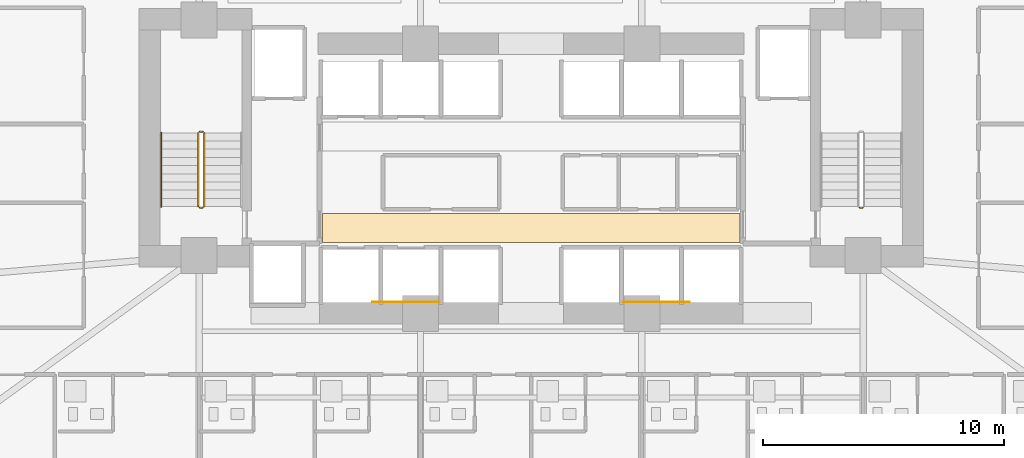
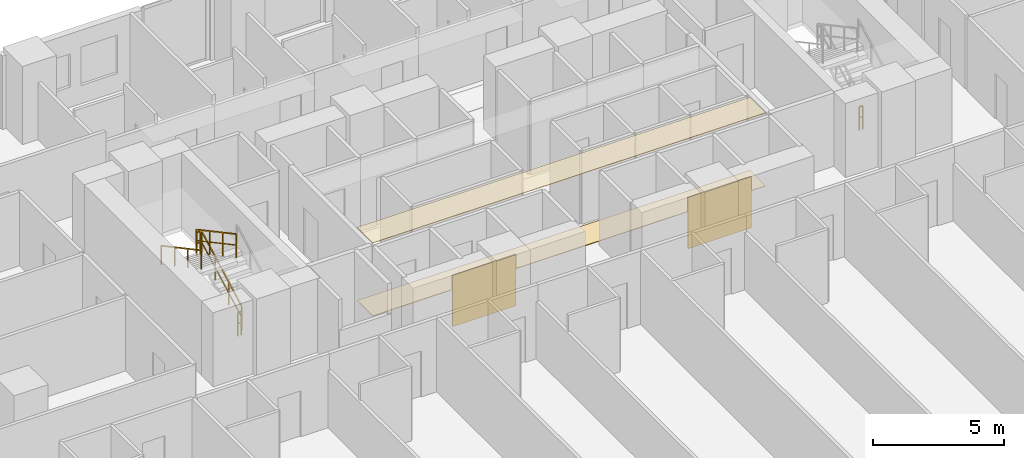
# One storey, part 26 of 29: 6 railings, 4 coverings.
"""IFC4 building model written with IfcOpenShell, lengths in metres."""

from ifc_helpers import new_model, si_unit, direction, frame, origin, origin_2d, place, context, subcontext, project, spatial, polyline, rectangle, outline, extrude, material, layer, layer_set, type_object, element, save


model = new_model("IFC4")

# Units and contexts
model_context = context("Model", 3, precision=1e-05, world=origin(), true_north=direction((0.0, 1.0)))
body_context = subcontext(model_context, "Body", "Model", "MODEL_VIEW")
ifc_project = project(units=[si_unit("LENGTHUNIT", "METRE"), si_unit("AREAUNIT", "SQUARE_METRE"), si_unit("VOLUMEUNIT", "CUBIC_METRE"), si_unit("PLANEANGLEUNIT", "RADIAN"), si_unit("MASSUNIT", "GRAM", prefix="KILO")], contexts=[model_context])

# Site, building, storey
site_placement = place(None, origin())
site = spatial("IfcSite", under=ifc_project, at=site_placement, CompositionType="ELEMENT")
building_placement = place(site_placement, origin())
building = spatial("IfcBuilding", under=site, at=building_placement, Name="Zuhayl Quay Hotel", CompositionType="ELEMENT")
storey_placement = place(building_placement, frame((0.0, 0.0, 67.75)))
storey = spatial("IfcBuildingStorey", under=building, at=storey_placement, Name="L16", CompositionType="ELEMENT", Elevation=67.75)

# Coverings
ifc_material_1 = material(Name="Acoustic Mineral-Fibre Gypsum Board")
ifc_layer_1 = layer(ifc_material_1, 0.02490234375, Name="Acoustic Mineral-Fibre Gypsum Board")
ifc_layer_set_1 = layer_set([ifc_layer_1], Name="Acoustic Mineral-Fibre Gypsum Board")
covering_type_1 = type_object("IfcCoveringType", Name="CV_CEIL_ACOUSTIC", PredefinedType="CEILING", material=ifc_layer_set_1)
covering_1_placement = place(storey_placement, frame((0.0, 0.0, 3.405029296875)))
element("IfcCovering", 1, at=covering_1_placement, inside=storey, type_object=covering_type_1, Name="L16 Suspended Acoustic Lobby Ceiling S", PredefinedType="CEILING", context=body_context, shape_type="SweptSolid", body=[
    extrude(outline(polyline([(-8.679931640625, 5.10009765625), (8.679931640625, 5.10009765625), (8.679931640625, 6.300048828125), (-8.679931640625, 6.300048828125), (-8.679931640625, 5.10009765625)])), origin(), (0.0, 0.0, 1.0), 0.02490234375),
])
ifc_material_2 = material(Name="Polished Limestone Terrazzo", Category="masonry")
ifc_layer_2 = layer(ifc_material_2, 0.02001953125, Name="Polished Limestone Terrazzo", Category="masonry")
ifc_layer_set_2 = layer_set([ifc_layer_2], Name="Polished Limestone Terrazzo")
covering_type_2 = type_object("IfcCoveringType", Name="CV_FLOOR_TERRAZZO", PredefinedType="FLOORING", material=ifc_layer_set_2)
covering_2_placement = place(storey_placement, origin())
element("IfcCovering", 2, at=covering_2_placement, inside=storey, type_object=covering_type_2, Name="L16 Honed Limestone Terrazzo Lobby Flooring S", PredefinedType="FLOORING", context=body_context, shape_type="SweptSolid", body=[
    extrude(outline(polyline([(-8.679931640625, 5.10009765625), (8.679931640625, 5.10009765625), (8.679931640625, 6.300048828125), (-8.679931640625, 6.300048828125), (-8.679931640625, 5.10009765625)])), origin(), (0.0, 0.0, 1.0), 0.02001953125),
])
ifc_material_3 = material(Name="Acoustic Walnut Feature Timber", Category="wood")
ifc_layer_3 = layer(ifc_material_3, 0.02197265625, Name="Acoustic Walnut Feature Timber", Category="wood")
ifc_layer_set_3 = layer_set([ifc_layer_3], Name="Acoustic Walnut Feature Timber")
covering_type_3 = type_object("IfcCoveringType", Name="CV_WALL_CLAD", PredefinedType="CLADDING", material=ifc_layer_set_3)
for number, where, z_axis, x_axis, name in (
    (3, (-5.199951171875, 2.611083984375, 0.300048828125), (0.0, 0.0, 1.0), (1.0, 0.0, 0.0), "L16 Feature Lobby Walnut Wall Cladding W"),
    (4, (5.199951171875, 2.611083984375, 0.300048828125), (0.0, 0.0, 1.0), (1.0, 0.0, 0.0), "L16 Feature Lobby Walnut Wall Cladding E"),
):
    element("IfcCovering", number, at=place(storey_placement, frame(where, z_axis=z_axis, x_axis=x_axis)), inside=storey, type_object=covering_type_3, Name=name, PredefinedType="CLADDING", context=body_context, shape_type="SweptSolid", body=[
        extrude(rectangle(XDim=2.800048828125, YDim=0.02197265625, at=origin_2d()), origin(), (0.0, 0.0, 1.0), 2.39990234375),
    ])

# Railings
ifc_material_4 = material(Name="Steel ASTM A992 Grade 50", Category="steel")
railing_type_1 = type_object("IfcRailingType", Name="RL_GUARD_1100", PredefinedType="GUARDRAIL", material=ifc_material_4)
railing_1_placement = place(storey_placement, frame((-13.590087890625, 6.590087890625, 0.1826171875)))
element("IfcRailing", 5, at=railing_1_placement, inside=storey, type_object=railing_type_1, Name="L16 ST1 stair guard 1", PredefinedType="GUARDRAIL", context=body_context, shape_type="SweptSolid", body=[
    extrude(rectangle(XDim=0.048095703125, YDim=0.048095703125, at=origin_2d()), frame((0.0, 0.0, 1.09619140625), z_axis=(0.0, 0.881102395774, 0.472925541879), x_axis=(-1.0, 0.0, 0.0)), (0.0, 0.0, 1.0), 3.47265625),
    extrude(rectangle(XDim=0.0361328125, YDim=0.0361328125, at=origin_2d()), frame((0.0, 0.0, 0.58251953125), z_axis=(0.0, 0.881102395774, 0.472925541879), x_axis=(-1.0, 0.0, 0.0)), (0.0, 0.0, 1.0), 3.47265625),
    extrude(rectangle(XDim=0.0419921875, YDim=0.0419921875, at=origin_2d()), origin(), (0.0, 0.0, 1.0), 1.072021484375),
    extrude(rectangle(XDim=0.0419921875, YDim=0.0419921875, at=origin_2d()), frame((0.0, 1.02001953125, 0.54736328125)), (0.0, 0.0, 1.0), 1.072021484375),
    extrude(rectangle(XDim=0.0419921875, YDim=0.0419921875, at=origin_2d()), frame((0.0, 2.039794921875, 1.094970703125)), (0.0, 0.0, 1.0), 1.072021484375),
    extrude(rectangle(XDim=0.0419921875, YDim=0.0419921875, at=origin_2d()), frame((0.0, 3.059814453125, 1.642333984375)), (0.0, 0.0, 1.0), 1.072021484375),
])
railing_2_placement = place(storey_placement, frame((-13.639892578125, 9.699951171875, 1.824951171875)))
element("IfcRailing", 6, at=railing_2_placement, inside=storey, type_object=railing_type_1, Name="L16 ST1 stair guard 2", PredefinedType="GUARDRAIL", context=body_context, shape_type="SweptSolid", body=[
    extrude(rectangle(XDim=0.048095703125, YDim=0.048095703125, at=origin_2d()), frame((0.0, 0.0, 1.09619140625), z_axis=(-1.0, 0.0, 0.0), x_axis=(0.0, -1.0, 0.0)), (0.0, 0.0, 1.0), 0.150146484375),
    extrude(rectangle(XDim=0.0361328125, YDim=0.0361328125, at=origin_2d()), frame((0.0, 0.0, 0.58251953125), z_axis=(-1.0, 0.0, 0.0), x_axis=(0.0, -1.0, 0.0)), (0.0, 0.0, 1.0), 0.150146484375),
    extrude(rectangle(XDim=0.0419921875, YDim=0.0419921875, at=origin_2d()), origin(), (0.0, 0.0, 1.0), 1.072021484375),
    extrude(rectangle(XDim=0.0419921875, YDim=0.0419921875, at=origin_2d()), frame((-0.150146484375, 0.0, 0.0)), (0.0, 0.0, 1.0), 1.072021484375),
])
railing_3_placement = place(storey_placement, frame((-13.840087890625, 9.64990234375, 2.007568359375)))
element("IfcRailing", 7, at=railing_3_placement, inside=storey, type_object=railing_type_1, Name="L16 ST1 stair guard 3", PredefinedType="GUARDRAIL", context=body_context, shape_type="SweptSolid", body=[
    extrude(rectangle(XDim=0.048095703125, YDim=0.048095703125, at=origin_2d()), frame((0.0, 0.0, 1.09619140625), z_axis=(0.0, -0.881102395774, 0.472925541879), x_axis=(1.0, 0.0, 0.0)), (0.0, 0.0, 1.0), 3.47265625),
    extrude(rectangle(XDim=0.0361328125, YDim=0.0361328125, at=origin_2d()), frame((0.0, 0.0, 0.58251953125), z_axis=(0.0, -0.881102395774, 0.472925541879), x_axis=(1.0, 0.0, 0.0)), (0.0, 0.0, 1.0), 3.47265625),
    extrude(rectangle(XDim=0.0419921875, YDim=0.0419921875, at=origin_2d()), origin(), (0.0, 0.0, 1.0), 1.072021484375),
    extrude(rectangle(XDim=0.0419921875, YDim=0.0419921875, at=origin_2d()), frame((0.0, -1.02001953125, 0.54736328125)), (0.0, 0.0, 1.0), 1.072021484375),
    extrude(rectangle(XDim=0.0419921875, YDim=0.0419921875, at=origin_2d()), frame((0.0, -2.039794921875, 1.094970703125)), (0.0, 0.0, 1.0), 1.072021484375),
    extrude(rectangle(XDim=0.0419921875, YDim=0.0419921875, at=origin_2d()), frame((0.0, -3.059814453125, 1.642333984375)), (0.0, 0.0, 1.0), 1.072021484375),
])
for number, where, name in (
    (8, (-13.639892578125, 6.5400390625, 0.0), "L16 ST1 stair guard 4"),
    (9, (13.7900390625, 6.5400390625, 0.0), "L16 ST2 stair guard 4"),
):
    element("IfcRailing", number, at=place(storey_placement, frame(where)), inside=storey, type_object=railing_type_1, Name=name, PredefinedType="GUARDRAIL", context=body_context, shape_type="SweptSolid", body=[
        extrude(rectangle(XDim=0.048095703125, YDim=0.048095703125, at=origin_2d()), frame((0.0, 0.0, 1.09619140625), z_axis=(-1.0, 0.0, 0.0), x_axis=(0.0, -1.0, 0.0)), (0.0, 0.0, 1.0), 0.150146484375),
        extrude(rectangle(XDim=0.0361328125, YDim=0.0361328125, at=origin_2d()), frame((0.0, 0.0, 0.58251953125), z_axis=(-1.0, 0.0, 0.0), x_axis=(0.0, -1.0, 0.0)), (0.0, 0.0, 1.0), 0.150146484375),
        extrude(rectangle(XDim=0.0419921875, YDim=0.0419921875, at=origin_2d()), origin(), (0.0, 0.0, 1.0), 1.072021484375),
        extrude(rectangle(XDim=0.0419921875, YDim=0.0419921875, at=origin_2d()), frame((-0.150146484375, 0.0, 0.0)), (0.0, 0.0, 1.0), 1.072021484375),
    ])
railing_type_2 = type_object("IfcRailingType", Name="RL_HANDRAIL_920", PredefinedType="HANDRAIL", material=ifc_material_4)
railing_4_placement = place(storey_placement, frame((-15.3798828125, 9.64990234375, 2.007568359375)))
element("IfcRailing", 10, at=railing_4_placement, inside=storey, type_object=railing_type_2, Name="L16 ST1 stair handrail 2", PredefinedType="HANDRAIL", context=body_context, shape_type="SweptSolid", body=[
    extrude(rectangle(XDim=0.048095703125, YDim=0.048095703125, at=origin_2d()), frame((0.0, 0.0, 0.8759765625), z_axis=(0.0, -0.881102395774, 0.472925541879), x_axis=(1.0, 0.0, 0.0)), (0.0, 0.0, 1.0), 3.47265625),
    extrude(rectangle(XDim=0.0419921875, YDim=0.0419921875, at=origin_2d()), origin(), (0.0, 0.0, 1.0), 0.851806640625),
    extrude(rectangle(XDim=0.0419921875, YDim=0.0419921875, at=origin_2d()), frame((0.0, -1.02001953125, 0.54736328125)), (0.0, 0.0, 1.0), 0.851806640625),
    extrude(rectangle(XDim=0.0419921875, YDim=0.0419921875, at=origin_2d()), frame((0.0, -2.039794921875, 1.094970703125)), (0.0, 0.0, 1.0), 0.851806640625),
    extrude(rectangle(XDim=0.0419921875, YDim=0.0419921875, at=origin_2d()), frame((0.0, -3.059814453125, 1.642333984375)), (0.0, 0.0, 1.0), 0.851806640625),
])

save(model, "model.ifc")
